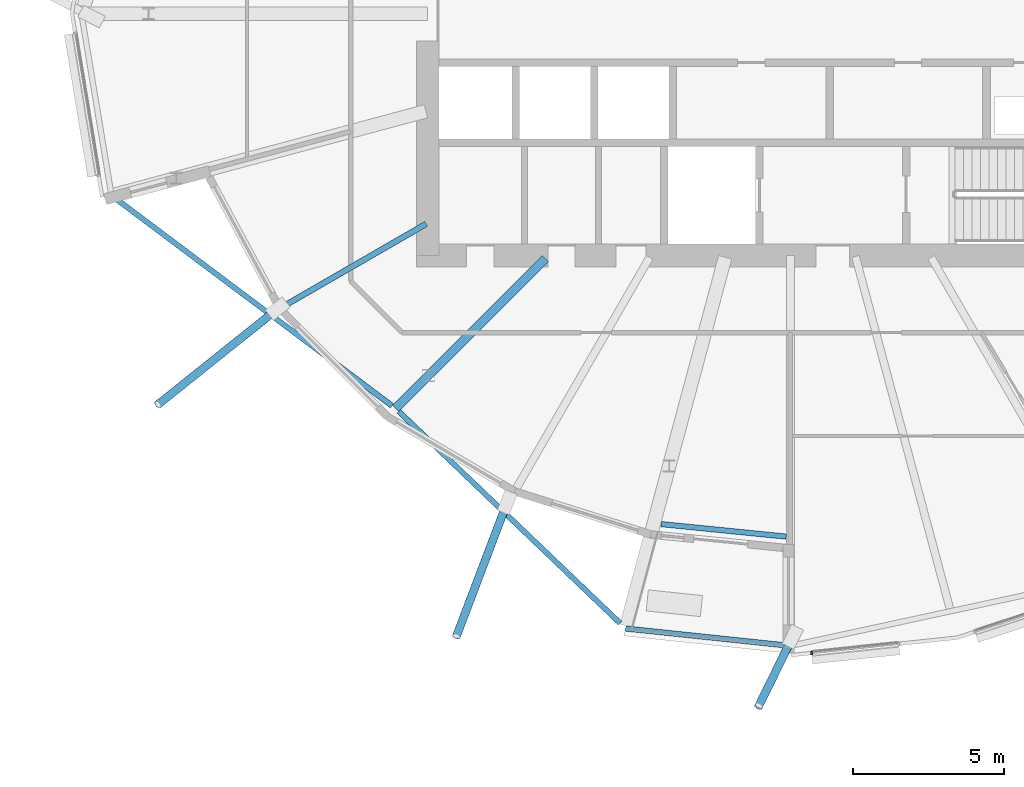
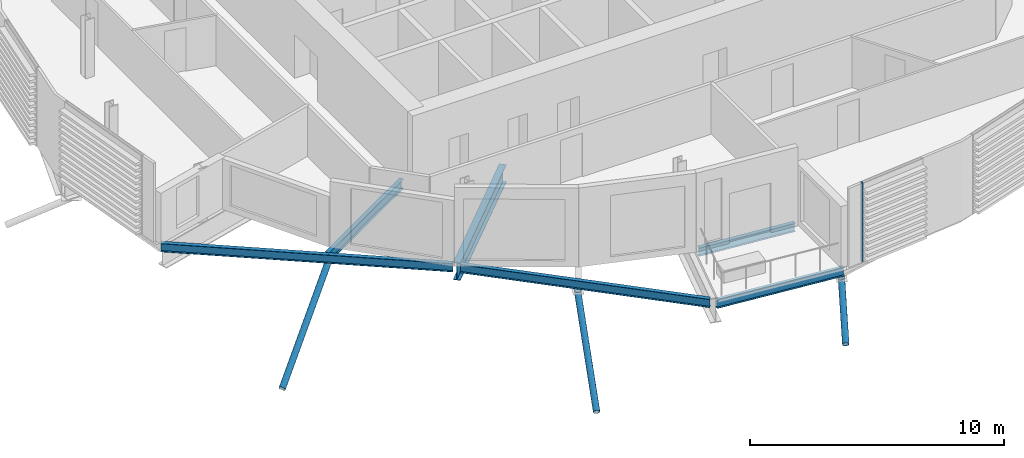
# One storey, part 3 of 43: 6 beams, 4 members, 1 element without a shape of its own.
"""IFC4 building model written with IfcOpenShell, lengths in metres."""

from ifc_helpers import new_model, si_unit, direction, frame, origin, origin_2d, place, context, subcontext, project, spatial, rectangle, hollow_circle, i_section, extrude, clip, halfspace, material, material_profile, profile_set, type_object, element, aggregate, save


model = new_model("IFC4")

# Units and contexts
model_context = context("Model", 3, precision=1e-05, world=origin(), true_north=direction((0.0, 1.0)))
body_context = subcontext(model_context, "Body", "Model", "MODEL_VIEW")
ifc_project = project(units=[si_unit("LENGTHUNIT", "METRE"), si_unit("AREAUNIT", "SQUARE_METRE"), si_unit("VOLUMEUNIT", "CUBIC_METRE"), si_unit("PLANEANGLEUNIT", "RADIAN"), si_unit("MASSUNIT", "GRAM", prefix="KILO")], contexts=[model_context])

# Site, building, storey
site_placement = place(None, origin())
site = spatial("IfcSite", under=ifc_project, at=site_placement, CompositionType="ELEMENT")
building_placement = place(site_placement, origin())
building = spatial("IfcBuilding", under=site, at=building_placement, Name="Rimbun Link Towers", CompositionType="ELEMENT")
storey_placement = place(building_placement, frame((0.0, 0.0, 81.60009765625)))
storey = spatial("IfcBuildingStorey", under=building, at=storey_placement, Name="L19", CompositionType="ELEMENT", Elevation=81.60009765625)

# Curtain wall, member
ifc_material_1 = material(Name="Aluminium 6063-T6 and low-iron glass", Category="aluminium")
curtain_wall_type = type_object("IfcCurtainWallType", Name="CW1-Z2 unitised vision wall (zone 2)", PredefinedType="NOTDEFINED", material=ifc_material_1)
curtain_wall_placement = place(storey_placement, origin())
curtain_wall = element("IfcCurtainWall", 1, at=curtain_wall_placement, inside=storey, type_object=curtain_wall_type, Name="CW1 L19 T1", PredefinedType="NOTDEFINED")
ifc_material_2 = material(Name="Aluminium 6063-T6", Category="aluminium")
ifc_material_profile_1 = material_profile(ifc_material_2, rectangle(XDim=0.1201171875, YDim=0.06005859375, at=origin_2d()), Name="MULLION 60X120")
ifc_profile_set_1 = profile_set([ifc_material_profile_1], Name="Aluminium 6063-T6")
member_type_1 = type_object("IfcMemberType", Name="CW1 mullion 60X120", PredefinedType="MULLION", material=ifc_profile_set_1)
member_1_placement = place(storey_placement, frame((-31.047607421875, -21.15234375, 0.0), z_axis=(0.0, 0.0, 1.0), x_axis=(0.104736404583, -0.994500017876, 0.0)))
member_1 = element("IfcMember", 2, at=member_1_placement, type_object=member_type_1, Name="CW1 mullion", PredefinedType="MULLION", context=body_context, shape_type="SweptSolid", body=[
    extrude(rectangle(XDim=0.1201171875, YDim=0.06005859375, at=origin_2d()), origin(), (0.0, 0.0, 1.0), 3.7998046875),
])
aggregate(curtain_wall, [member_1])

# Members
ifc_material_3 = material(Name="Steel S355J2H", Category="steel")
ifc_material_profile_2 = material_profile(ifc_material_3, hollow_circle(Radius=0.136474609375, WallThickness=0.012451171875, at=origin_2d()), Name="CHS 273x12.5")
ifc_profile_set_2 = profile_set([ifc_material_profile_2], Name="Steel S355J2H")
member_type_2 = type_object("IfcMemberType", Name="Floor edge link CHS 273x12.5", PredefinedType="BRACE", material=ifc_profile_set_2)
member_2_placement = place(storey_placement, frame((-48.843017578125, -9.86865234375, -0.73291015625), z_axis=(-0.678205351481, -0.542132990023, -0.496114223089), x_axis=(0.624392115199, -0.78111105899, 0.0)))
element("IfcMember", 3, at=member_2_placement, inside=storey, type_object=member_type_2, Name="Floor edge link T1 L19 14", PredefinedType="BRACE", context=body_context, shape_type="Clipping", body=[
    clip(extrude(hollow_circle(Radius=0.136474609375, WallThickness=0.012451171875, at=origin_2d()), frame((0.0, 0.0, -0.498046875)), (0.0, 0.0, 1.0), 6.15869140625), halfspace(frame((0.0, 0.0, -0.236572265625), z_axis=(0.0, 0.868257264668, -0.496114223089)), False)),
])
member_3_placement = place(storey_placement, frame((-41.18310546875, -16.338623046875, -0.964111328125), z_axis=(-0.311010438924, -0.819565935122, -0.481231944978), x_axis=(0.934944328581, -0.35479445099, 0.0)))
element("IfcMember", 4, at=member_3_placement, inside=storey, type_object=member_type_2, Name="Floor edge link T1 L19 16", PredefinedType="BRACE", context=body_context, shape_type="Clipping", body=[
    clip(extrude(hollow_circle(Radius=0.136474609375, WallThickness=0.012451171875, at=origin_2d()), frame((0.0, 0.0, -0.51806640625)), (0.0, 0.0, 1.0), 5.727294921875), halfspace(frame((0.0, 0.0, -0.246337890625), z_axis=(0.0, 0.876593300871, -0.481231944978)), False)),
])
member_4_placement = place(storey_placement, frame((-31.75, -20.774169921875, -0.962646484375), z_axis=(-0.385310670656, -0.783376453169, -0.487705874169), x_axis=(0.897330204168, -0.441359835835, 0.0)))
element("IfcMember", 5, at=member_4_placement, inside=storey, type_object=member_type_2, Name="Floor edge link T1 L19 18", PredefinedType="BRACE", context=body_context, shape_type="Clipping", body=[
    clip(extrude(hollow_circle(Radius=0.136474609375, WallThickness=0.012451171875, at=origin_2d()), frame((0.0, 0.0, -0.50927734375)), (0.0, 0.0, 1.0), 3.265380859375), halfspace(frame((0.0, 0.0, -0.239990234375), z_axis=(0.0, 0.873008007009, -0.487705874169)), False)),
])

# Beams
ifc_material_4 = material(Name="Steel S355J2", Category="steel")
ifc_material_profile_3 = material_profile(ifc_material_4, i_section(OverallWidth=0.177978515625, OverallDepth=0.406494140625, WebThickness=0.0078125, FlangeThickness=0.0126953125, at=origin_2d()), Name="UB 406x178x60")
ifc_profile_set_3 = profile_set([ifc_material_profile_3], Name="Steel S355J2")
beam_type_1 = type_object("IfcBeamType", Name="UB 406x178x60", PredefinedType="BEAM", material=ifc_profile_set_3)
beam_1_placement = place(storey_placement, frame((-54.20751953125, -6.018310546875, -0.36328125), z_axis=(0.80024250892, -0.599676518565, 0.0), x_axis=(0.599676518565, 0.80024250892, 0.0)))
element("IfcBeam", 6, at=beam_1_placement, inside=storey, type_object=beam_type_1, Name="Edge beam T1 L19 13-15", PredefinedType="BEAM", context=body_context, shape_type="SweptSolid", body=[
    extrude(i_section(OverallWidth=0.177978515625, OverallDepth=0.406494140625, WebThickness=0.0078125, FlangeThickness=0.0126953125, at=origin_2d()), origin(), (0.0, 0.0, 1.0), 11.594482421875),
])
beam_2_placement = place(storey_placement, frame((-44.703857421875, -13.162109375, -0.36328125), z_axis=(0.722580071758, -0.691287234005, 0.0), x_axis=(0.691287234005, 0.722580071758, 0.0)))
element("IfcBeam", 7, at=beam_2_placement, inside=storey, type_object=beam_type_1, Name="Edge beam T1 L19 15-17", PredefinedType="BEAM", context=body_context, shape_type="SweptSolid", body=[
    extrude(i_section(OverallWidth=0.177978515625, OverallDepth=0.406494140625, WebThickness=0.0078125, FlangeThickness=0.0126953125, at=origin_2d()), origin(), (0.0, 0.0, 1.0), 10.126708984375),
])
beam_3_placement = place(storey_placement, frame((-36.026123046875, -16.88720703125, -0.36328125), z_axis=(0.995040095089, -0.09947466595, 0.0), x_axis=(0.09947466595, 0.995040095089, 0.0)))
element("IfcBeam", 8, at=beam_3_placement, inside=storey, type_object=beam_type_1, Name="Edge beam T1 L19 17 recess", PredefinedType="BEAM", context=body_context, shape_type="SweptSolid", body=[
    extrude(i_section(OverallWidth=0.177978515625, OverallDepth=0.406494140625, WebThickness=0.0078125, FlangeThickness=0.0126953125, at=origin_2d()), origin(), (0.0, 0.0, 1.0), 4.16015625),
])
beam_4_placement = place(storey_placement, frame((-37.19921875, -20.3408203125, -0.36328125), z_axis=(0.994501056643, -0.104726540738, 0.0), x_axis=(0.104726540738, 0.994501056643, 0.0)))
element("IfcBeam", 9, at=beam_4_placement, inside=storey, type_object=beam_type_1, Name="Edge beam T1 L19 17 terrace", PredefinedType="BEAM", context=body_context, shape_type="SweptSolid", body=[
    extrude(i_section(OverallWidth=0.177978515625, OverallDepth=0.406494140625, WebThickness=0.0078125, FlangeThickness=0.0126953125, at=origin_2d()), origin(), (0.0, 0.0, 1.0), 5.478271484375),
])
ifc_material_5 = material(Name="Steel S355J2", Category="steel")
ifc_material_profile_4 = material_profile(ifc_material_5, i_section(OverallWidth=0.18994140625, OverallDepth=0.453369140625, WebThickness=0.008544921875, FlangeThickness=0.0126953125, at=origin_2d()), Name="UB 457x191x67")
ifc_profile_set_4 = profile_set([ifc_material_profile_4], Name="Steel S355J2")
beam_type_2 = type_object("IfcBeamType", Name="UB 457x191x67", PredefinedType="BEAM", material=ifc_profile_set_4)
beam_5_placement = place(storey_placement, frame((-43.79833984375, -6.9560546875, -0.38671875), z_axis=(-0.86602503688, -0.500000635496, 0.0), x_axis=(0.500000635496, -0.86602503688, 0.0)))
element("IfcBeam", 10, at=beam_5_placement, inside=storey, type_object=beam_type_2, Name="Radial beam T1 L19 14", PredefinedType="BEAM", context=body_context, shape_type="SweptSolid", body=[
    extrude(i_section(OverallWidth=0.18994140625, OverallDepth=0.453369140625, WebThickness=0.008544921875, FlangeThickness=0.0126953125, at=origin_2d()), origin(), (0.0, 0.0, 1.0), 5.875),
])
ifc_material_6 = material(Name="Steel S355J2", Category="steel")
ifc_material_profile_5 = material_profile(ifc_material_6, i_section(OverallWidth=0.29248046875, OverallDepth=0.8408203125, WebThickness=0.0126953125, FlangeThickness=0.021728515625, at=origin_2d()), Name="UB 838x292x194")
ifc_profile_set_5 = profile_set([ifc_material_profile_5], Name="Steel S355J2")
beam_type_3 = type_object("IfcBeamType", Name="UB 838x292x194", PredefinedType="BEAM", material=ifc_profile_set_5)
beam_6_placement = place(storey_placement, frame((-39.85400390625, -8.10400390625, -0.58056640625), z_axis=(-0.707106781187, -0.707106781187, 0.0), x_axis=(0.707106781187, -0.707106781187, 0.0)))
element("IfcBeam", 11, at=beam_6_placement, inside=storey, type_object=beam_type_3, Name="Radial beam T1 L19 15", PredefinedType="BEAM", context=body_context, shape_type="SweptSolid", body=[
    extrude(i_section(OverallWidth=0.29248046875, OverallDepth=0.8408203125, WebThickness=0.0126953125, FlangeThickness=0.021728515625, at=origin_2d()), origin(), (0.0, 0.0, 1.0), 7.00927734375),
])

save(model, "model.ifc")
